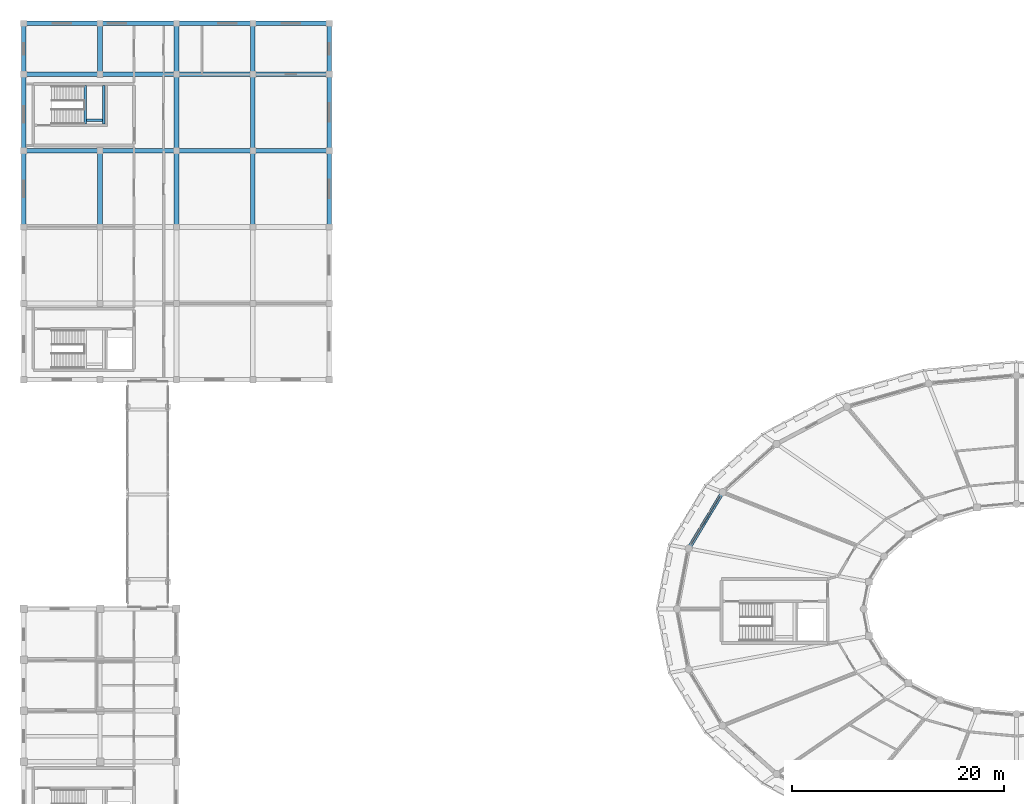
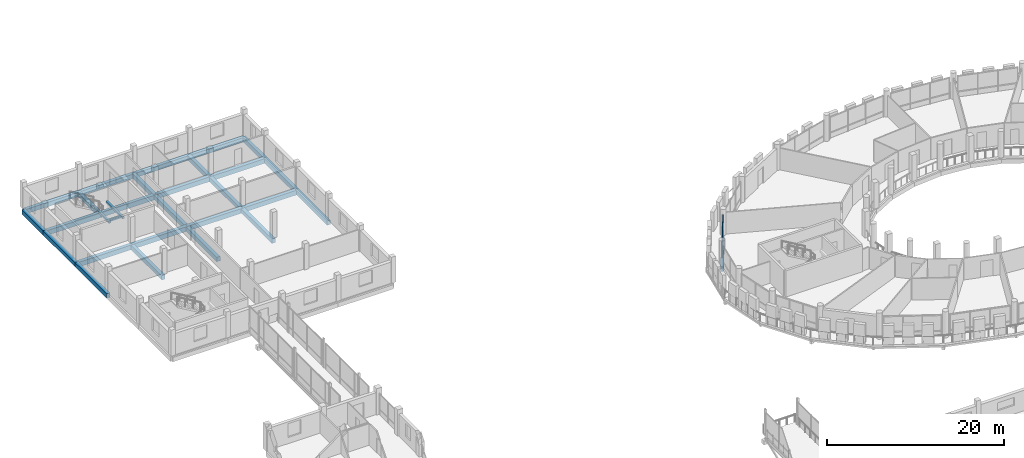
# One storey, part 63 of 128: 30 beams, 2 members, 1 element without a shape of its own.
"""IFC4 building model written with IfcOpenShell, lengths in metres."""

from ifc_helpers import new_model, si_unit, direction, frame, origin, origin_2d, place, context, subcontext, project, spatial, rectangle, hollow_rectangle, extrude, material, material_profile, profile_set, type_object, element, aggregate, save


model = new_model("IFC4")

# Units and contexts
model_context = context("Model", 3, precision=1e-05, world=origin(), true_north=direction((0.0, 1.0)))
body_context = subcontext(model_context, "Body", "Model", "MODEL_VIEW")
ifc_project = project(units=[si_unit("LENGTHUNIT", "METRE"), si_unit("AREAUNIT", "SQUARE_METRE"), si_unit("VOLUMEUNIT", "CUBIC_METRE"), si_unit("PLANEANGLEUNIT", "RADIAN"), si_unit("MASSUNIT", "GRAM", prefix="KILO")], contexts=[model_context])

# Site, building, storey
site_placement = place(None, origin())
site = spatial("IfcSite", under=ifc_project, at=site_placement, CompositionType="ELEMENT")
building_placement = place(site_placement, origin())
building = spatial("IfcBuilding", under=site, at=building_placement, Name="Zornivar Specialist Clinic", CompositionType="ELEMENT")
storey_placement = place(building_placement, frame((0.0, 0.0, 4.5)))
storey = spatial("IfcBuildingStorey", under=building, at=storey_placement, Name="L01", CompositionType="ELEMENT", Elevation=4.5)

# Beams
ifc_material_1 = material(Name="Concrete C30/37", Category="concrete")
ifc_material_profile_1 = material_profile(ifc_material_1, rectangle(XDim=0.25, YDim=0.300048828125, at=origin_2d()), Name="RC 250x300")
ifc_profile_set_1 = profile_set([ifc_material_profile_1], Name="Concrete C30/37")
beam_type_1 = type_object("IfcBeamType", Name="BM-LAND-250x300", PredefinedType="BEAM", material=ifc_profile_set_1)
for number, where, z_axis, x_axis, name in (
    (1, (5.800048828125, 103.300048828125, 1.6201171875), (0.0, 1.0, 0.0), (-1.0, 0.0, 0.0), "bm:stair:C8:L01:lW"),
    (2, (7.56005859375, 103.300048828125, 1.6201171875), (0.0, 1.0, 0.0), (-1.0, 0.0, 0.0), "bm:stair:C8:L01:lE"),
):
    element("IfcBeam", number, at=place(storey_placement, frame(where, z_axis=z_axis, x_axis=x_axis)), inside=storey, type_object=beam_type_1, Name=name, PredefinedType="BEAM", context=body_context, shape_type="SweptSolid", body=[
        extrude(rectangle(XDim=0.25, YDim=0.300048828125, at=origin_2d()), origin(), (0.0, 0.0, 1.0), 3.659912109375),
    ])
beam_1_placement = place(storey_placement, frame((5.93505859375, 103.679931640625, 1.6201171875), z_axis=(1.0, 0.0, 0.0), x_axis=(0.0, 1.0, 0.0)))
element("IfcBeam", 3, at=beam_1_placement, inside=storey, type_object=beam_type_1, Name="bm:stair:C8:L01:lS", PredefinedType="BEAM", context=body_context, shape_type="SweptSolid", body=[
    extrude(rectangle(XDim=0.25, YDim=0.300048828125, at=origin_2d()), origin(), (0.0, 0.0, 1.0), 1.489990234375),
])
ifc_material_2 = material(Name="Concrete C30/37", Category="concrete")
ifc_material_profile_2 = material_profile(ifc_material_2, rectangle(XDim=0.43994140625, YDim=0.64990234375, at=origin_2d()), Name="RC 440x650")
ifc_profile_set_2 = profile_set([ifc_material_profile_2], Name="Concrete C30/37")
beam_type_2 = type_object("IfcBeamType", Name="BM-RC-440x650", PredefinedType="BEAM", material=ifc_profile_set_2)
for number, where, z_axis, x_axis, name in (
    (4, (0.0, 100.800048828125, -0.635009765625), (1.0, 0.0, 0.0), (0.0, 1.0, 0.0), "bm:V5:L01:x:1008:0"),
    (5, (7.199951171875, 100.800048828125, -0.635009765625), (1.0, 0.0, 0.0), (0.0, 1.0, 0.0), "bm:V5:L01:x:1008:1"),
):
    element("IfcBeam", number, at=place(storey_placement, frame(where, z_axis=z_axis, x_axis=x_axis)), inside=storey, type_object=beam_type_2, Name=name, PredefinedType="BEAM", context=body_context, shape_type="SweptSolid", body=[
        extrude(rectangle(XDim=0.43994140625, YDim=0.64990234375, at=origin_2d()), origin(), (0.0, 0.0, 1.0), 7.199951171875),
    ])
beam_2_placement = place(storey_placement, frame((14.39990234375, 100.800048828125, -0.635009765625), z_axis=(1.0, 0.0, 0.0), x_axis=(0.0, 1.0, 0.0)))
element("IfcBeam", 6, at=beam_2_placement, inside=storey, type_object=beam_type_2, Name="bm:V5:L01:x:1008:2", PredefinedType="BEAM", context=body_context, shape_type="SweptSolid", body=[
    extrude(rectangle(XDim=0.43994140625, YDim=0.64990234375, at=origin_2d()), origin(), (0.0, 0.0, 1.0), 7.2001953125),
])
for number, where, z_axis, x_axis, name in (
    (7, (21.60009765625, 100.800048828125, -0.635009765625), (1.0, 0.0, 0.0), (0.0, 1.0, 0.0), "bm:V5:L01:x:1008:3"),
    (8, (0.0, 108.0, -0.635009765625), (1.0, 0.0, 0.0), (0.0, 1.0, 0.0), "bm:V5:L01:x:1080:0"),
    (9, (7.199951171875, 108.0, -0.635009765625), (1.0, 0.0, 0.0), (0.0, 1.0, 0.0), "bm:V5:L01:x:1080:1"),
):
    element("IfcBeam", number, at=place(storey_placement, frame(where, z_axis=z_axis, x_axis=x_axis)), inside=storey, type_object=beam_type_2, Name=name, PredefinedType="BEAM", context=body_context, shape_type="SweptSolid", body=[
        extrude(rectangle(XDim=0.43994140625, YDim=0.64990234375, at=origin_2d()), origin(), (0.0, 0.0, 1.0), 7.199951171875),
    ])
beam_3_placement = place(storey_placement, frame((14.39990234375, 108.0, -0.635009765625), z_axis=(1.0, 0.0, 0.0), x_axis=(0.0, 1.0, 0.0)))
element("IfcBeam", 10, at=beam_3_placement, inside=storey, type_object=beam_type_2, Name="bm:V5:L01:x:1080:2", PredefinedType="BEAM", context=body_context, shape_type="SweptSolid", body=[
    extrude(rectangle(XDim=0.43994140625, YDim=0.64990234375, at=origin_2d()), origin(), (0.0, 0.0, 1.0), 7.2001953125),
])
beam_4_placement = place(storey_placement, frame((21.60009765625, 108.0, -0.635009765625), z_axis=(1.0, 0.0, 0.0), x_axis=(0.0, 1.0, 0.0)))
element("IfcBeam", 11, at=beam_4_placement, inside=storey, type_object=beam_type_2, Name="bm:V5:L01:x:1080:3", PredefinedType="BEAM", context=body_context, shape_type="SweptSolid", body=[
    extrude(rectangle(XDim=0.43994140625, YDim=0.64990234375, at=origin_2d()), origin(), (0.0, 0.0, 1.0), 7.199951171875),
])
ifc_material_3 = material(Name="Concrete C30/37", Category="concrete")
ifc_material_profile_3 = material_profile(ifc_material_3, rectangle(XDim=0.449951171875, YDim=0.60009765625, at=origin_2d()), Name="RC 450x600")
ifc_profile_set_3 = profile_set([ifc_material_profile_3], Name="Concrete C30/37")
beam_type_3 = type_object("IfcBeamType", Name="BM-RC-450x600", PredefinedType="BEAM", material=ifc_profile_set_3)
beam_5_placement = place(storey_placement, frame((7.199951171875, 93.60009765625, -0.610107421875), z_axis=(0.0, 1.0, 0.0), x_axis=(-1.0, 0.0, 0.0)))
element("IfcBeam", 12, at=beam_5_placement, inside=storey, type_object=beam_type_3, Name="bm:V5:L01:y:72:2", PredefinedType="BEAM", context=body_context, shape_type="SweptSolid", body=[
    extrude(rectangle(XDim=0.449951171875, YDim=0.60009765625, at=origin_2d()), origin(), (0.0, 0.0, 1.0), 7.199951171875),
])
beam_6_placement = place(storey_placement, frame((7.199951171875, 108.0, -0.610107421875), z_axis=(0.0, 1.0, 0.0), x_axis=(-1.0, 0.0, 0.0)))
element("IfcBeam", 13, at=beam_6_placement, inside=storey, type_object=beam_type_3, Name="bm:V5:L01:y:72:4", PredefinedType="BEAM", context=body_context, shape_type="SweptSolid", body=[
    extrude(rectangle(XDim=0.449951171875, YDim=0.60009765625, at=origin_2d()), origin(), (0.0, 0.0, 1.0), 4.800048828125),
])
for number, where, z_axis, x_axis, name in (
    (14, (14.39990234375, 93.60009765625, -0.610107421875), (0.0, 1.0, 0.0), (-1.0, 0.0, 0.0), "bm:V5:L01:y:144:2"),
    (15, (14.39990234375, 100.800048828125, -0.610107421875), (0.0, 1.0, 0.0), (-1.0, 0.0, 0.0), "bm:V5:L01:y:144:3"),
):
    element("IfcBeam", number, at=place(storey_placement, frame(where, z_axis=z_axis, x_axis=x_axis)), inside=storey, type_object=beam_type_3, Name=name, PredefinedType="BEAM", context=body_context, shape_type="SweptSolid", body=[
        extrude(rectangle(XDim=0.449951171875, YDim=0.60009765625, at=origin_2d()), origin(), (0.0, 0.0, 1.0), 7.199951171875),
    ])
beam_7_placement = place(storey_placement, frame((14.39990234375, 108.0, -0.610107421875), z_axis=(0.0, 1.0, 0.0), x_axis=(-1.0, 0.0, 0.0)))
element("IfcBeam", 16, at=beam_7_placement, inside=storey, type_object=beam_type_3, Name="bm:V5:L01:y:144:4", PredefinedType="BEAM", context=body_context, shape_type="SweptSolid", body=[
    extrude(rectangle(XDim=0.449951171875, YDim=0.60009765625, at=origin_2d()), origin(), (0.0, 0.0, 1.0), 4.800048828125),
])
for number, where, z_axis, x_axis, name in (
    (17, (21.60009765625, 93.60009765625, -0.610107421875), (0.0, 1.0, 0.0), (-1.0, 0.0, 0.0), "bm:V5:L01:y:216:2"),
    (18, (21.60009765625, 100.800048828125, -0.610107421875), (0.0, 1.0, 0.0), (-1.0, 0.0, 0.0), "bm:V5:L01:y:216:3"),
):
    element("IfcBeam", number, at=place(storey_placement, frame(where, z_axis=z_axis, x_axis=x_axis)), inside=storey, type_object=beam_type_3, Name=name, PredefinedType="BEAM", context=body_context, shape_type="SweptSolid", body=[
        extrude(rectangle(XDim=0.449951171875, YDim=0.60009765625, at=origin_2d()), origin(), (0.0, 0.0, 1.0), 7.199951171875),
    ])
beam_8_placement = place(storey_placement, frame((21.60009765625, 108.0, -0.610107421875), z_axis=(0.0, 1.0, 0.0), x_axis=(-1.0, 0.0, 0.0)))
element("IfcBeam", 19, at=beam_8_placement, inside=storey, type_object=beam_type_3, Name="bm:V5:L01:y:216:4", PredefinedType="BEAM", context=body_context, shape_type="SweptSolid", body=[
    extrude(rectangle(XDim=0.449951171875, YDim=0.60009765625, at=origin_2d()), origin(), (0.0, 0.0, 1.0), 4.800048828125),
])
ifc_material_4 = material(Name="Concrete C30/37", Category="concrete")
ifc_material_profile_4 = material_profile(ifc_material_4, rectangle(XDim=0.3701171875, YDim=0.60009765625, at=origin_2d()), Name="RC 370x600")
ifc_profile_set_4 = profile_set([ifc_material_profile_4], Name="Concrete C30/37")
beam_type_4 = type_object("IfcBeamType", Name="BM-RC-SPANDREL-370x600", PredefinedType="SPANDREL", material=ifc_profile_set_4)
beam_9_placement = place(storey_placement, frame((65.886962890625, 68.60009765625, -0.5400390625), z_axis=(-0.516077084803, -0.856542142887, 0.0), x_axis=(0.856542142887, -0.516077084803, 0.0)))
element("IfcBeam", 20, at=beam_9_placement, inside=storey, type_object=beam_type_4, Name="bm:V1:L01:outring:10", PredefinedType="SPANDREL", context=body_context, shape_type="SweptSolid", body=[
    extrude(rectangle(XDim=0.3701171875, YDim=0.60009765625, at=origin_2d()), origin(), (0.0, 0.0, 1.0), 6.19482421875),
])
ifc_material_5 = material(Name="Concrete C30/37", Category="concrete")
ifc_material_profile_5 = material_profile(ifc_material_5, rectangle(XDim=0.429931640625, YDim=0.60009765625, at=origin_2d()), Name="RC 430x600")
ifc_profile_set_5 = profile_set([ifc_material_profile_5], Name="Concrete C30/37")
beam_type_5 = type_object("IfcBeamType", Name="BM-RC-SPANDREL-430x600", PredefinedType="SPANDREL", material=ifc_profile_set_5)
for number, where, z_axis, x_axis, name in (
    (21, (0.0, 112.800048828125, -0.610107421875), (1.0, 0.0, 0.0), (0.0, 1.0, 0.0), "bm:V5:L01:x:1128:0"),
    (22, (7.199951171875, 112.800048828125, -0.610107421875), (1.0, 0.0, 0.0), (0.0, 1.0, 0.0), "bm:V5:L01:x:1128:1"),
):
    element("IfcBeam", number, at=place(storey_placement, frame(where, z_axis=z_axis, x_axis=x_axis)), inside=storey, type_object=beam_type_5, Name=name, PredefinedType="SPANDREL", context=body_context, shape_type="SweptSolid", body=[
        extrude(rectangle(XDim=0.429931640625, YDim=0.60009765625, at=origin_2d()), origin(), (0.0, 0.0, 1.0), 7.199951171875),
    ])
beam_10_placement = place(storey_placement, frame((14.39990234375, 112.800048828125, -0.610107421875), z_axis=(1.0, 0.0, 0.0), x_axis=(0.0, 1.0, 0.0)))
element("IfcBeam", 23, at=beam_10_placement, inside=storey, type_object=beam_type_5, Name="bm:V5:L01:x:1128:2", PredefinedType="SPANDREL", context=body_context, shape_type="SweptSolid", body=[
    extrude(rectangle(XDim=0.429931640625, YDim=0.60009765625, at=origin_2d()), origin(), (0.0, 0.0, 1.0), 7.2001953125),
])
for number, where, z_axis, x_axis, name in (
    (24, (21.60009765625, 112.800048828125, -0.610107421875), (1.0, 0.0, 0.0), (0.0, 1.0, 0.0), "bm:V5:L01:x:1128:3"),
    (25, (0.0, 93.60009765625, -0.610107421875), (0.0, 1.0, 0.0), (-1.0, 0.0, 0.0), "bm:V5:L01:y:0:2"),
    (26, (0.0, 100.800048828125, -0.610107421875), (0.0, 1.0, 0.0), (-1.0, 0.0, 0.0), "bm:V5:L01:y:0:3"),
):
    element("IfcBeam", number, at=place(storey_placement, frame(where, z_axis=z_axis, x_axis=x_axis)), inside=storey, type_object=beam_type_5, Name=name, PredefinedType="SPANDREL", context=body_context, shape_type="SweptSolid", body=[
        extrude(rectangle(XDim=0.429931640625, YDim=0.60009765625, at=origin_2d()), origin(), (0.0, 0.0, 1.0), 7.199951171875),
    ])
beam_11_placement = place(storey_placement, frame((0.0, 108.0, -0.610107421875), z_axis=(0.0, 1.0, 0.0), x_axis=(-1.0, 0.0, 0.0)))
element("IfcBeam", 27, at=beam_11_placement, inside=storey, type_object=beam_type_5, Name="bm:V5:L01:y:0:4", PredefinedType="SPANDREL", context=body_context, shape_type="SweptSolid", body=[
    extrude(rectangle(XDim=0.429931640625, YDim=0.60009765625, at=origin_2d()), origin(), (0.0, 0.0, 1.0), 4.800048828125),
])
for number, where, z_axis, x_axis, name in (
    (28, (28.800048828125, 93.60009765625, -0.610107421875), (0.0, 1.0, 0.0), (-1.0, 0.0, 0.0), "bm:V5:L01:y:288:2"),
    (29, (28.800048828125, 100.800048828125, -0.610107421875), (0.0, 1.0, 0.0), (-1.0, 0.0, 0.0), "bm:V5:L01:y:288:3"),
):
    element("IfcBeam", number, at=place(storey_placement, frame(where, z_axis=z_axis, x_axis=x_axis)), inside=storey, type_object=beam_type_5, Name=name, PredefinedType="SPANDREL", context=body_context, shape_type="SweptSolid", body=[
        extrude(rectangle(XDim=0.429931640625, YDim=0.60009765625, at=origin_2d()), origin(), (0.0, 0.0, 1.0), 7.199951171875),
    ])
beam_12_placement = place(storey_placement, frame((28.800048828125, 108.0, -0.610107421875), z_axis=(0.0, 1.0, 0.0), x_axis=(-1.0, 0.0, 0.0)))
element("IfcBeam", 30, at=beam_12_placement, inside=storey, type_object=beam_type_5, Name="bm:V5:L01:y:288:4", PredefinedType="SPANDREL", context=body_context, shape_type="SweptSolid", body=[
    extrude(rectangle(XDim=0.429931640625, YDim=0.60009765625, at=origin_2d()), origin(), (0.0, 0.0, 1.0), 4.800048828125),
])

# Curtain wall, members
ifc_material_6 = material(Name="Aluminium and Low-E Glass Curtain Wall", Category="aluminium")
curtain_wall_type = type_object("IfcCurtainWallType", Name="CW-DRUM-FACET", PredefinedType="NOTDEFINED", material=ifc_material_6)
curtain_wall_placement = place(storey_placement, origin())
curtain_wall = element("IfcCurtainWall", 31, at=curtain_wall_placement, inside=storey, type_object=curtain_wall_type, Name="cw:V1:L01:c10", PredefinedType="NOTDEFINED")
ifc_material_7 = material(Name="Aluminium AW-6060", Category="aluminium")
ifc_material_profile_6 = material_profile(ifc_material_7, hollow_rectangle(XDim=0.06005859375, YDim=0.14501953125, WallThickness=0.00390625, at=origin_2d()), Name="ALU 60x145x4")
ifc_profile_set_6 = profile_set([ifc_material_profile_6], Name="Aluminium AW-6060")
member_type = type_object("IfcMemberType", Name="CWM-TRN-145", PredefinedType="USERDEFINED", material=ifc_profile_set_6)
member_1_placement = place(storey_placement, frame((65.638916015625, 68.18896484375, 0.782958984375), z_axis=(-0.515983359641, -0.856598606451, 0.0), x_axis=(0.856598606451, -0.515983359641, 0.0)))
member_1 = element("IfcMember", 32, at=member_1_placement, type_object=member_type, Name="cw:V1:L01:c10:trn:0", ObjectType="TRANSOM", PredefinedType="USERDEFINED", context=body_context, shape_type="SweptSolid", body=[
    extrude(hollow_rectangle(XDim=0.06005859375, YDim=0.14501953125, WallThickness=0.00390625, at=origin_2d()), origin(), (0.0, 0.0, 1.0), 5.234619140625),
])
member_2_placement = place(storey_placement, frame((65.638916015625, 68.18896484375, 2.945068359375), z_axis=(-0.515983359641, -0.856598606451, 0.0), x_axis=(0.856598606451, -0.515983359641, 0.0)))
member_2 = element("IfcMember", 33, at=member_2_placement, type_object=member_type, Name="cw:V1:L01:c10:trn:1", ObjectType="TRANSOM", PredefinedType="USERDEFINED", context=body_context, shape_type="SweptSolid", body=[
    extrude(hollow_rectangle(XDim=0.06005859375, YDim=0.14501953125, WallThickness=0.00390625, at=origin_2d()), origin(), (0.0, 0.0, 1.0), 5.234619140625),
])
aggregate(curtain_wall, [member_1, member_2])

save(model, "model.ifc")
